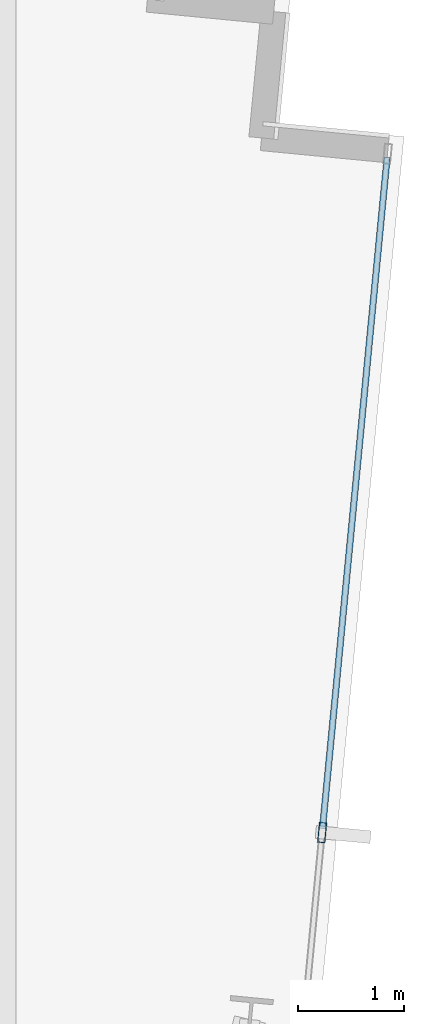
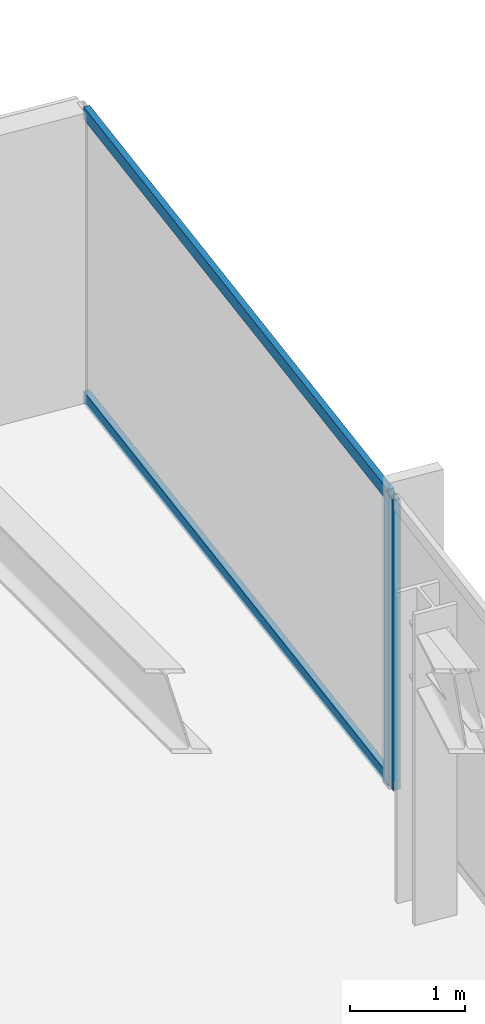
# One storey, part 20 of 38: 3 members, 1 element without a shape of its own.
"""IFC4 building model written with IfcOpenShell, lengths in metres."""

from ifc_helpers import new_model, si_unit, direction, frame, origin, origin_2d, place, context, subcontext, project, spatial, hollow_rectangle, extrude, material, material_profile, profile_set, type_object, element, aggregate, save


model = new_model("IFC4")

# Units and contexts
model_context = context("Model", 3, precision=1e-05, world=origin(), true_north=direction((0.0, 1.0)))
body_context = subcontext(model_context, "Body", "Model", "MODEL_VIEW")
ifc_project = project(units=[si_unit("LENGTHUNIT", "METRE"), si_unit("AREAUNIT", "SQUARE_METRE"), si_unit("VOLUMEUNIT", "CUBIC_METRE"), si_unit("PLANEANGLEUNIT", "RADIAN"), si_unit("MASSUNIT", "GRAM", prefix="KILO")], contexts=[model_context])

# Site, building, storey
site_placement = place(None, origin())
site = spatial("IfcSite", under=ifc_project, at=site_placement, CompositionType="ELEMENT")
building_placement = place(site_placement, origin())
building = spatial("IfcBuilding", under=site, at=building_placement, Name="Yelkora Congress Tower", CompositionType="ELEMENT")
storey_placement = place(building_placement, frame((0.0, 0.0, 172.10009765625)))
storey = spatial("IfcBuildingStorey", under=building, at=storey_placement, Name="L47", CompositionType="ELEMENT", Elevation=172.10009765625)

# Curtain wall, members
ifc_material_1 = material(Name="Anodised aluminium and insulated glass", Category="aluminium")
curtain_wall_type = type_object("IfcCurtainWallType", Name="CW-SYS-B3", PredefinedType="NOTDEFINED", material=ifc_material_1)
curtain_wall_placement = place(storey_placement, origin())
curtain_wall = element("IfcCurtainWall", 1, at=curtain_wall_placement, inside=storey, type_object=curtain_wall_type, Name="L47 Unitised Curtain Wall 15", PredefinedType="NOTDEFINED")
ifc_material_2 = material(Name="Anodised aluminium 6063-T6", Category="aluminium")
ifc_material_profile_1 = material_profile(ifc_material_2, hollow_rectangle(XDim=0.070068359375, YDim=0.18994140625, WallThickness=0.00390625, at=origin_2d()), Name="ALU 70x190x4")
ifc_profile_set_1 = profile_set([ifc_material_profile_1], Name="Anodised aluminium 6063-T6")
member_type_1 = type_object("IfcMemberType", Name="MEM-ML-B3", PredefinedType="MULLION", material=ifc_profile_set_1)
member_1_placement = place(storey_placement, frame((60.646240234375, 36.849853515625, 0.0), z_axis=(0.0, 0.0, 1.0), x_axis=(0.995396565076, -0.095841944023, 0.0)))
member_1 = element("IfcMember", 2, at=member_1_placement, type_object=member_type_1, Name="CW-B3 mullion 2", PredefinedType="MULLION", context=body_context, shape_type="SweptSolid", body=[
    extrude(hollow_rectangle(XDim=0.070068359375, YDim=0.18994140625, WallThickness=0.00390625, at=origin_2d()), origin(), (0.0, 0.0, 1.0), 3.079833984375),
])
ifc_material_profile_2 = material_profile(ifc_material_2, hollow_rectangle(XDim=0.06005859375, YDim=0.1298828125, WallThickness=0.00390625, at=origin_2d()), Name="ALU 60x130x4")
ifc_profile_set_2 = profile_set([ifc_material_profile_2], Name="Anodised aluminium 6063-T6")
member_type_2 = type_object("IfcMemberType", Name="MEM-TR-B3", PredefinedType="USERDEFINED", material=ifc_profile_set_2)
member_2_placement = place(storey_placement, frame((61.260986328125, 43.234375, 0.02978515625), z_axis=(-0.095872844558, -0.995393589329, 0.0), x_axis=(0.995393589329, -0.095872844558, 0.0)))
member_2 = element("IfcMember", 3, at=member_2_placement, type_object=member_type_2, Name="CW-B3 transom 1.1", ObjectType="TRANSOM", PredefinedType="USERDEFINED", context=body_context, shape_type="SweptSolid", body=[
    extrude(hollow_rectangle(XDim=0.06005859375, YDim=0.1298828125, WallThickness=0.00390625, at=origin_2d()), origin(), (0.0, 0.0, 1.0), 6.37890625),
])
member_3_placement = place(storey_placement, frame((61.260986328125, 43.234375, 3.0498046875), z_axis=(-0.095872844558, -0.995393589329, 0.0), x_axis=(0.995393589329, -0.095872844558, 0.0)))
member_3 = element("IfcMember", 4, at=member_3_placement, type_object=member_type_2, Name="CW-B3 transom 1.2", ObjectType="TRANSOM", PredefinedType="USERDEFINED", context=body_context, shape_type="SweptSolid", body=[
    extrude(hollow_rectangle(XDim=0.06005859375, YDim=0.1298828125, WallThickness=0.00390625, at=origin_2d()), origin(), (0.0, 0.0, 1.0), 6.37890625),
])
aggregate(curtain_wall, [member_1, member_2, member_3])

save(model, "model.ifc")
